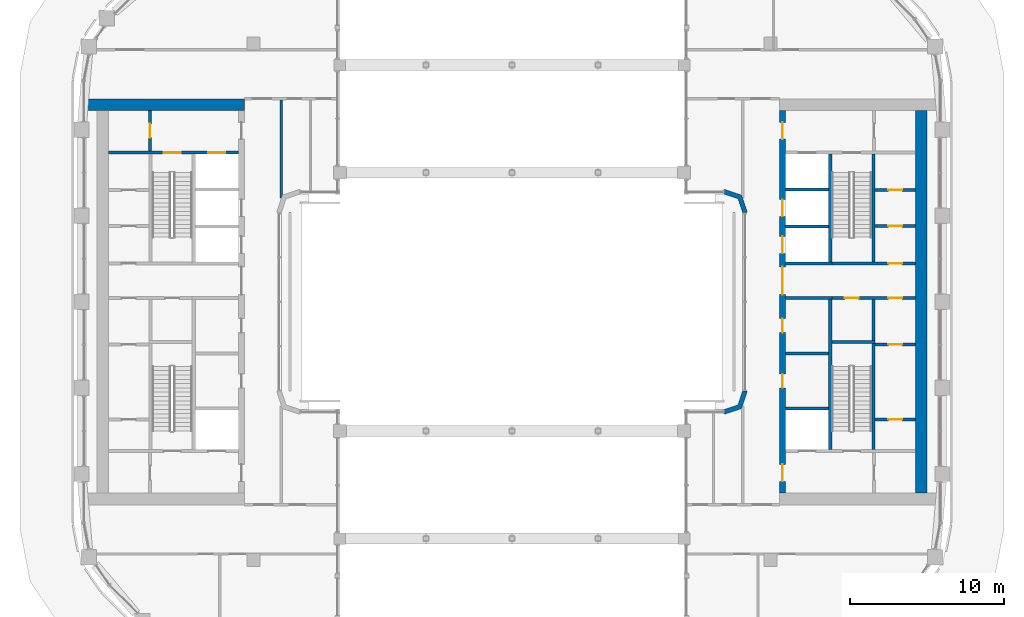
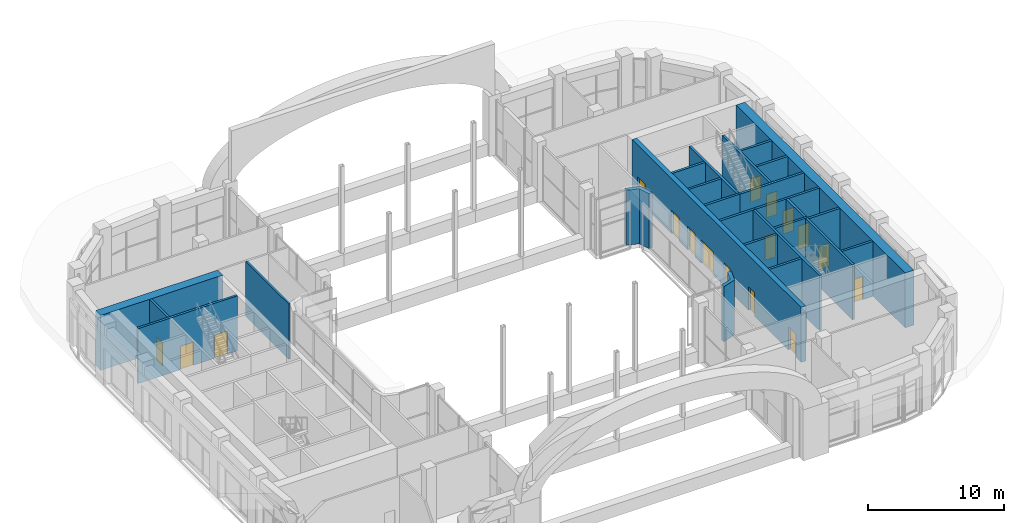
# One storey, part 17 of 28: 26 walls, 17 doors, 17 openings.
"""IFC4 building model written with IfcOpenShell, lengths in metres."""

from ifc_helpers import new_model, si_unit, direction, frame, frame_2d, origin, place, context, subcontext, project, spatial, polyline, rectangle, outline, extrude, material, layer, layer_set, type_object, element, fill, save


model = new_model("IFC4")

# Units and contexts
model_context = context("Model", 3, precision=1e-05, world=origin(), true_north=direction((0.0, 1.0)))
body_context = subcontext(model_context, "Body", "Model", "MODEL_VIEW")
ifc_project = project(units=[si_unit("LENGTHUNIT", "METRE"), si_unit("AREAUNIT", "SQUARE_METRE"), si_unit("VOLUMEUNIT", "CUBIC_METRE"), si_unit("PLANEANGLEUNIT", "RADIAN"), si_unit("MASSUNIT", "GRAM", prefix="KILO")], contexts=[model_context])

# Site, building, storey
site_placement = place(None, origin())
site = spatial("IfcSite", under=ifc_project, at=site_placement, CompositionType="ELEMENT")
building_placement = place(site_placement, origin())
building = spatial("IfcBuilding", under=site, at=building_placement, Name="Kiln Ring Residences", CompositionType="ELEMENT")
storey_placement = place(building_placement, frame((0.0, 0.0, 178.10009765625)))
storey = spatial("IfcBuildingStorey", under=building, at=storey_placement, Name="L46", CompositionType="ELEMENT", Elevation=178.10009765625)

# Wall, opening, door
ifc_material_1 = material(Name="Gypsum board on steel studs", Category="steel")
ifc_layer_1 = layer(ifc_material_1, 0.199951171875)
ifc_layer_set_1 = layer_set([ifc_layer_1], Name="CORE-PARTITION-200")
wall_type_1 = type_object("IfcWallType", Name="CORE-PARTITION-200", PredefinedType="PARTITIONING", material=ifc_layer_set_1)
wall_1_placement = place(storey_placement, frame((-23.550048828125, 9.800048828125, 0.0), z_axis=(0.0, 0.0, 1.0), x_axis=(0.0, 1.0, 0.0)))
wall_1 = element("IfcWall", 1, at=wall_1_placement, inside=storey, type_object=wall_type_1, Name="Core partition west L46 4", PredefinedType="PARTITIONING", context=body_context, shape_type="SweptSolid", body=[
    extrude(rectangle(XDim=2.64990234375, YDim=0.199951171875, at=frame_2d((1.324951171875, 0.0))), origin(), (0.0, 0.0, 1.0), 4.949951171875),
])
opening_1_placement = place(wall_1_placement, frame((0.875, 0.0, 0.0)))
opening_1 = element("IfcOpeningElement", 2, at=opening_1_placement, cuts=wall_1, Name="Opening L46-CW09", PredefinedType="OPENING", context=body_context, shape_type="SweptSolid", body=[
    extrude(rectangle(XDim=0.89990234375, YDim=2.10009765625, at=frame_2d((0.449951171875, 1.050048828125))), frame((0.0, 0.10986328125, 0.0), z_axis=(0.0, -1.0, 0.0), x_axis=(1.0, 0.0, 0.0)), (0.0, 0.0, 1.0), 0.219970703125),
])
ifc_material_2 = material(Name="Steel door leaf", Category="steel")
door_type_1 = type_object("IfcDoorType", Name="CORE-DOOR-ROOM", OperationType="SINGLE_SWING_LEFT", PredefinedType="DOOR", material=ifc_material_2)
door_1_placement = place(opening_1_placement, origin())
door_1 = element("IfcDoor", 3, at=door_1_placement, inside=storey, type_object=door_type_1, Name="Fire riser room L46-CW09", OperationType="SINGLE_SWING_LEFT", OverallHeight=2.10009765625, OverallWidth=0.89990234375, PredefinedType="DOOR", context=body_context, shape_type="SweptSolid", body=[
    extrude(rectangle(XDim=0.89990234375, YDim=2.10009765625, at=frame_2d((0.449951171875, 1.050048828125))), frame((0.0, 0.02490234375, 0.0), z_axis=(0.0, -1.0, 0.0), x_axis=(1.0, 0.0, 0.0)), (0.0, 0.0, 1.0), 0.050048828125),
])
fill(opening_1, door_1)

# Wall
wall_2_placement = place(storey_placement, frame((23.5, -2.5, 0.0), z_axis=(0.0, 0.0, 1.0), x_axis=(0.0, 1.0, 0.0)))
element("IfcWall", 4, at=wall_2_placement, inside=storey, type_object=wall_type_1, Name="Core partition east L46 1", PredefinedType="PARTITIONING", context=body_context, shape_type="SweptSolid", body=[
    extrude(rectangle(XDim=2.64990234375, YDim=0.199951171875, at=frame_2d((1.324951171875, 0.0))), origin(), (0.0, 0.0, 1.0), 4.949951171875),
])

# Wall, openings, doors
wall_3_placement = place(storey_placement, frame((20.800048828125, 0.25, 0.0), z_axis=(0.0, 0.0, 1.0), x_axis=(1.0, 0.0, 0.0)))
wall_3 = element("IfcWall", 5, at=wall_3_placement, inside=storey, type_object=wall_type_1, Name="Core partition east L46 2", PredefinedType="PARTITIONING", context=body_context, shape_type="SweptSolid", body=[
    extrude(rectangle(XDim=5.449951171875, YDim=0.199951171875, at=frame_2d((2.72509765625, 0.0))), origin(), (0.0, 0.0, 1.0), 4.949951171875),
])
opening_2_placement = place(wall_3_placement, frame((0.85009765625, 0.0, 0.0)))
opening_2 = element("IfcOpeningElement", 6, at=opening_2_placement, cuts=wall_3, Name="Opening L46-CE14", PredefinedType="OPENING", context=body_context, shape_type="SweptSolid", body=[
    extrude(rectangle(XDim=0.89990234375, YDim=2.10009765625, at=frame_2d((0.449951171875, 1.050048828125))), frame((0.0, 0.10986328125, 0.0), z_axis=(0.0, -1.0, 0.0), x_axis=(1.0, 0.0, 0.0)), (0.0, 0.0, 1.0), 0.219970703125),
])
opening_3_placement = place(wall_3_placement, frame((3.675048828125, 0.0, 0.0)))
opening_3 = element("IfcOpeningElement", 7, at=opening_3_placement, cuts=wall_3, Name="Opening L46-CE17", PredefinedType="OPENING", context=body_context, shape_type="SweptSolid", body=[
    extrude(rectangle(XDim=0.89990234375, YDim=2.10009765625, at=frame_2d((0.449951171875, 1.050048828125))), frame((0.0, 0.10986328125, 0.0), z_axis=(0.0, -1.0, 0.0), x_axis=(1.0, 0.0, 0.0)), (0.0, 0.0, 1.0), 0.219970703125),
])
door_2_placement = place(opening_2_placement, origin())
door_2 = element("IfcDoor", 8, at=door_2_placement, inside=storey, type_object=door_type_1, Name="Cleaner's store L46-CE14", OperationType="SINGLE_SWING_LEFT", OverallHeight=2.10009765625, OverallWidth=0.89990234375, PredefinedType="DOOR", context=body_context, shape_type="SweptSolid", body=[
    extrude(rectangle(XDim=0.89990234375, YDim=2.10009765625, at=frame_2d((0.449951171875, 1.050048828125))), frame((0.0, 0.02490234375, 0.0), z_axis=(0.0, -1.0, 0.0), x_axis=(1.0, 0.0, 0.0)), (0.0, 0.0, 1.0), 0.050048828125),
])
fill(opening_2, door_2)
door_3_placement = place(opening_3_placement, origin())
door_3 = element("IfcDoor", 9, at=door_3_placement, inside=storey, type_object=door_type_1, Name="Battery room L46-CE17", OperationType="SINGLE_SWING_RIGHT", OverallHeight=2.10009765625, OverallWidth=0.89990234375, PredefinedType="DOOR", context=body_context, shape_type="SweptSolid", body=[
    extrude(rectangle(XDim=0.89990234375, YDim=2.10009765625, at=frame_2d((0.449951171875, 1.050048828125))), frame((0.0, 0.02490234375, 0.0), z_axis=(0.0, -1.0, 0.0), x_axis=(1.0, 0.0, 0.0)), (0.0, 0.0, 1.0), 0.050048828125),
])
fill(opening_3, door_3)

# Wall
wall_4_placement = place(storey_placement, frame((17.800048828125, -3.35009765625, 0.0), z_axis=(0.0, 0.0, 1.0), x_axis=(1.0, 0.0, 0.0)))
element("IfcWall", 10, at=wall_4_placement, inside=storey, type_object=wall_type_1, Name="Core partition east L46 3", PredefinedType="PARTITIONING", context=body_context, shape_type="SweptSolid", body=[
    extrude(rectangle(XDim=2.800048828125, YDim=0.199951171875, at=frame_2d((1.39990234375, 0.0))), origin(), (0.0, 0.0, 1.0), 4.949951171875),
])

# Wall, opening, door
wall_5_placement = place(storey_placement, frame((23.60009765625, -7.64990234375, 0.0), z_axis=(0.0, 0.0, 1.0), x_axis=(1.0, 0.0, 0.0)))
wall_5 = element("IfcWall", 11, at=wall_5_placement, inside=storey, type_object=wall_type_1, Name="Core partition east L46 6", PredefinedType="PARTITIONING", context=body_context, shape_type="SweptSolid", body=[
    extrude(rectangle(XDim=2.64990234375, YDim=0.199951171875, at=frame_2d((1.324951171875, 0.0))), origin(), (0.0, 0.0, 1.0), 4.949951171875),
])
opening_4_placement = place(wall_5_placement, frame((0.875, 0.0, 0.0)))
opening_4 = element("IfcOpeningElement", 12, at=opening_4_placement, cuts=wall_5, Name="Opening L46-CE15", PredefinedType="OPENING", context=body_context, shape_type="SweptSolid", body=[
    extrude(rectangle(XDim=0.89990234375, YDim=2.10009765625, at=frame_2d((0.449951171875, 1.050048828125))), frame((0.0, 0.10986328125, 0.0), z_axis=(0.0, -1.0, 0.0), x_axis=(1.0, 0.0, 0.0)), (0.0, 0.0, 1.0), 0.219970703125),
])
door_4_placement = place(opening_4_placement, origin())
door_4 = element("IfcDoor", 13, at=door_4_placement, inside=storey, type_object=door_type_1, Name="Plant room L46-CE15", OperationType="SINGLE_SWING_LEFT", OverallHeight=2.10009765625, OverallWidth=0.89990234375, PredefinedType="DOOR", context=body_context, shape_type="SweptSolid", body=[
    extrude(rectangle(XDim=0.89990234375, YDim=2.10009765625, at=frame_2d((0.449951171875, 1.050048828125))), frame((0.0, 0.02490234375, 0.0), z_axis=(0.0, -1.0, 0.0), x_axis=(1.0, 0.0, 0.0)), (0.0, 0.0, 1.0), 0.050048828125),
])
fill(opening_4, door_4)

wall_6_placement = place(storey_placement, frame((23.60009765625, -2.77490234375, 0.0), z_axis=(0.0, 0.0, 1.0), x_axis=(1.0, 0.0, 0.0)))
wall_6 = element("IfcWall", 14, at=wall_6_placement, inside=storey, type_object=wall_type_1, Name="Core partition east L46 7", PredefinedType="PARTITIONING", context=body_context, shape_type="SweptSolid", body=[
    extrude(rectangle(XDim=2.64990234375, YDim=0.199951171875, at=frame_2d((1.324951171875, 0.0))), origin(), (0.0, 0.0, 1.0), 4.949951171875),
])
opening_5_placement = place(wall_6_placement, frame((0.875, 0.0, 0.0)))
opening_5 = element("IfcOpeningElement", 15, at=opening_5_placement, cuts=wall_6, Name="Opening L46-CE16", PredefinedType="OPENING", context=body_context, shape_type="SweptSolid", body=[
    extrude(rectangle(XDim=0.89990234375, YDim=2.10009765625, at=frame_2d((0.449951171875, 1.050048828125))), frame((0.0, 0.10986328125, 0.0), z_axis=(0.0, -1.0, 0.0), x_axis=(1.0, 0.0, 0.0)), (0.0, 0.0, 1.0), 0.219970703125),
])
door_5_placement = place(opening_5_placement, origin())
door_5 = element("IfcDoor", 16, at=door_5_placement, inside=storey, type_object=door_type_1, Name="Battery room L46-CE16", OperationType="SINGLE_SWING_RIGHT", OverallHeight=2.10009765625, OverallWidth=0.89990234375, PredefinedType="DOOR", context=body_context, shape_type="SweptSolid", body=[
    extrude(rectangle(XDim=0.89990234375, YDim=2.10009765625, at=frame_2d((0.449951171875, 1.050048828125))), frame((0.0, 0.02490234375, 0.0), z_axis=(0.0, -1.0, 0.0), x_axis=(1.0, 0.0, 0.0)), (0.0, 0.0, 1.0), 0.050048828125),
])
fill(opening_5, door_5)

wall_7_placement = place(storey_placement, frame((23.60009765625, 4.933349609375, 0.0), z_axis=(0.0, 0.0, 1.0), x_axis=(1.0, 0.0, 0.0)))
wall_7 = element("IfcWall", 17, at=wall_7_placement, inside=storey, type_object=wall_type_1, Name="Core partition east L46 8", PredefinedType="PARTITIONING", context=body_context, shape_type="SweptSolid", body=[
    extrude(rectangle(XDim=2.64990234375, YDim=0.199951171875, at=frame_2d((1.324951171875, 0.0))), origin(), (0.0, 0.0, 1.0), 4.949951171875),
])
opening_6_placement = place(wall_7_placement, frame((0.875, 0.0, 0.0)))
opening_6 = element("IfcOpeningElement", 18, at=opening_6_placement, cuts=wall_7, Name="Opening L46-CE18", PredefinedType="OPENING", context=body_context, shape_type="SweptSolid", body=[
    extrude(rectangle(XDim=0.89990234375, YDim=2.10009765625, at=frame_2d((0.449951171875, 1.050048828125))), frame((0.0, 0.10986328125, 0.0), z_axis=(0.0, -1.0, 0.0), x_axis=(1.0, 0.0, 0.0)), (0.0, 0.0, 1.0), 0.219970703125),
])
door_6_placement = place(opening_6_placement, origin())
door_6 = element("IfcDoor", 19, at=door_6_placement, inside=storey, type_object=door_type_1, Name="Electrical plant room L46-CE18", OperationType="SINGLE_SWING_RIGHT", OverallHeight=2.10009765625, OverallWidth=0.89990234375, PredefinedType="DOOR", context=body_context, shape_type="SweptSolid", body=[
    extrude(rectangle(XDim=0.89990234375, YDim=2.10009765625, at=frame_2d((0.449951171875, 1.050048828125))), frame((0.0, 0.02490234375, 0.0), z_axis=(0.0, -1.0, 0.0), x_axis=(1.0, 0.0, 0.0)), (0.0, 0.0, 1.0), 0.050048828125),
])
fill(opening_6, door_6)

wall_8_placement = place(storey_placement, frame((23.60009765625, 7.2666015625, 0.0), z_axis=(0.0, 0.0, 1.0), x_axis=(1.0, 0.0, 0.0)))
wall_8 = element("IfcWall", 20, at=wall_8_placement, inside=storey, type_object=wall_type_1, Name="Core partition east L46 9", PredefinedType="PARTITIONING", context=body_context, shape_type="SweptSolid", body=[
    extrude(rectangle(XDim=2.64990234375, YDim=0.199951171875, at=frame_2d((1.324951171875, 0.0))), origin(), (0.0, 0.0, 1.0), 4.949951171875),
])
opening_7_placement = place(wall_8_placement, frame((0.875, 0.0, 0.0)))
opening_7 = element("IfcOpeningElement", 21, at=opening_7_placement, cuts=wall_8, Name="Opening L46-CE19", PredefinedType="OPENING", context=body_context, shape_type="SweptSolid", body=[
    extrude(rectangle(XDim=0.89990234375, YDim=2.10009765625, at=frame_2d((0.449951171875, 1.050048828125))), frame((0.0, 0.10986328125, 0.0), z_axis=(0.0, -1.0, 0.0), x_axis=(1.0, 0.0, 0.0)), (0.0, 0.0, 1.0), 0.219970703125),
])
door_7_placement = place(opening_7_placement, origin())
door_7 = element("IfcDoor", 22, at=door_7_placement, inside=storey, type_object=door_type_1, Name="Comms room L46-CE19", OperationType="SINGLE_SWING_LEFT", OverallHeight=2.10009765625, OverallWidth=0.89990234375, PredefinedType="DOOR", context=body_context, shape_type="SweptSolid", body=[
    extrude(rectangle(XDim=0.89990234375, YDim=2.10009765625, at=frame_2d((0.449951171875, 1.050048828125))), frame((0.0, 0.02490234375, 0.0), z_axis=(0.0, -1.0, 0.0), x_axis=(1.0, 0.0, 0.0)), (0.0, 0.0, 1.0), 0.050048828125),
])
fill(opening_7, door_7)

# Walls
ifc_material_3 = material(Name="Gypsum shaft wall system")
ifc_layer_2 = layer(ifc_material_3, 0.199951171875)
ifc_layer_set_2 = layer_set([ifc_layer_2], Name="CORE-SHAFT-WALL-200")
wall_type_2 = type_object("IfcWallType", Name="CORE-SHAFT-WALL-200", PredefinedType="PARTITIONING", material=ifc_layer_set_2)
wall_9_placement = place(storey_placement, frame((17.800048828125, -6.949951171875, 0.0), z_axis=(0.0, 0.0, 1.0), x_axis=(1.0, 0.0, 0.0)))
element("IfcWall", 23, at=wall_9_placement, inside=storey, type_object=wall_type_2, Name="Core partition east L46 10", PredefinedType="PARTITIONING", context=body_context, shape_type="SweptSolid", body=[
    extrude(rectangle(XDim=2.800048828125, YDim=0.199951171875, at=frame_2d((1.39990234375, 0.0))), origin(), (0.0, 0.0, 1.0), 4.949951171875),
])
for number, where, z_axis, x_axis, name in (
    (24, (17.800048828125, 0.25, 0.0), (0.0, 0.0, 1.0), (1.0, 0.0, 0.0), "Core partition east L46 11"),
    (25, (17.800048828125, 2.5, 0.0), (0.0, 0.0, 1.0), (1.0, 0.0, 0.0), "Core partition east L46 12"),
):
    element("IfcWall", number, at=place(storey_placement, frame(where, z_axis=z_axis, x_axis=x_axis)), inside=storey, type_object=wall_type_2, Name=name, PredefinedType="PARTITIONING", context=body_context, shape_type="SweptSolid", body=[
        extrude(rectangle(XDim=3.0, YDim=0.199951171875, at=frame_2d((1.5, 0.0))), origin(), (0.0, 0.0, 1.0), 4.949951171875),
    ])
for number, where, z_axis, x_axis, name in (
    (26, (17.800048828125, 4.89990234375, 0.0), (0.0, 0.0, 1.0), (1.0, 0.0, 0.0), "Core partition east L46 13"),
    (27, (17.800048828125, 7.300048828125, 0.0), (0.0, 0.0, 1.0), (1.0, 0.0, 0.0), "Core partition east L46 14"),
):
    element("IfcWall", number, at=place(storey_placement, frame(where, z_axis=z_axis, x_axis=x_axis)), inside=storey, type_object=wall_type_2, Name=name, PredefinedType="PARTITIONING", context=body_context, shape_type="SweptSolid", body=[
        extrude(rectangle(XDim=2.800048828125, YDim=0.199951171875, at=frame_2d((1.39990234375, 0.0))), origin(), (0.0, 0.0, 1.0), 4.949951171875),
    ])

# Wall, openings, doors
ifc_material_4 = material(Name="Concrete C40/50", Category="concrete")
ifc_layer_3 = layer(ifc_material_4, 0.199951171875)
ifc_layer_set_3 = layer_set([ifc_layer_3], Name="CORE-WALL-RC200")
wall_type_3 = type_object("IfcWallType", Name="CORE-WALL-RC200", PredefinedType="SHEAR", material=ifc_layer_set_3)
wall_10_placement = place(storey_placement, frame((-17.800048828125, 9.699951171875, 0.0), z_axis=(0.0, 0.0, 1.0), x_axis=(-1.0, 0.0, 0.0)))
wall_10 = element("IfcWall", 28, at=wall_10_placement, inside=storey, type_object=wall_type_3, Name="Core wall west L46 9", PredefinedType="SHEAR", context=body_context, shape_type="SweptSolid", body=[
    extrude(rectangle(XDim=8.449951171875, YDim=0.199951171875, at=frame_2d((4.22509765625, 0.0))), origin(), (0.0, 0.0, 1.0), 4.949951171875),
])
opening_8_placement = place(wall_10_placement, frame((0.85009765625, 0.0, 0.0)))
opening_8 = element("IfcOpeningElement", 29, at=opening_8_placement, cuts=wall_10, Name="Opening L46-CW06", PredefinedType="OPENING", context=body_context, shape_type="SweptSolid", body=[
    extrude(rectangle(XDim=1.10009765625, YDim=2.10009765625, at=frame_2d((0.550048828125, 1.050048828125))), frame((0.0, 0.10986328125, 0.0), z_axis=(0.0, -1.0, 0.0), x_axis=(1.0, 0.0, 0.0)), (0.0, 0.0, 1.0), 0.219970703125),
])
opening_9_placement = place(wall_10_placement, frame((3.75, 0.0, 0.0)))
opening_9 = element("IfcOpeningElement", 30, at=opening_9_placement, cuts=wall_10, Name="Opening L46-CW11", PredefinedType="OPENING", context=body_context, shape_type="SweptSolid", body=[
    extrude(rectangle(XDim=1.10009765625, YDim=2.10009765625, at=frame_2d((0.550048828125, 1.050048828125))), frame((0.0, 0.10986328125, 0.0), z_axis=(0.0, -1.0, 0.0), x_axis=(1.0, 0.0, 0.0)), (0.0, 0.0, 1.0), 0.219970703125),
])
ifc_material_5 = material(Name="Steel door leaf", Category="steel")
door_type_2 = type_object("IfcDoorType", Name="CORE-DOOR-LD", OperationType="DOUBLE_DOOR_SLIDING", PredefinedType="DOOR", material=ifc_material_5)
door_8_placement = place(opening_8_placement, origin())
door_8 = element("IfcDoor", 31, at=door_8_placement, inside=storey, type_object=door_type_2, Name="LD W-FF L46-CW06", OperationType="DOUBLE_DOOR_SLIDING", OverallHeight=2.10009765625, OverallWidth=1.10009765625, PredefinedType="DOOR", context=body_context, shape_type="SweptSolid", body=[
    extrude(rectangle(XDim=1.10009765625, YDim=2.10009765625, at=frame_2d((0.550048828125, 1.050048828125))), frame((0.0, 0.02490234375, 0.0), z_axis=(0.0, -1.0, 0.0), x_axis=(1.0, 0.0, 0.0)), (0.0, 0.0, 1.0), 0.050048828125),
])
fill(opening_8, door_8)
ifc_material_6 = material(Name="Steel door leaf", Category="steel")
door_type_3 = type_object("IfcDoorType", Name="CORE-DOOR-STAIR", OperationType="SINGLE_SWING_LEFT", PredefinedType="DOOR", material=ifc_material_6)
door_9_placement = place(opening_9_placement, origin())
door_9 = element("IfcDoor", 32, at=door_9_placement, inside=storey, type_object=door_type_3, Name="Stair W-STN L46-CW11", OperationType="SINGLE_SWING_LEFT", OverallHeight=2.10009765625, OverallWidth=1.10009765625, PredefinedType="DOOR", context=body_context, shape_type="SweptSolid", body=[
    extrude(rectangle(XDim=1.10009765625, YDim=2.10009765625, at=frame_2d((0.550048828125, 1.050048828125))), frame((0.0, 0.02490234375, 0.0), z_axis=(0.0, -1.0, 0.0), x_axis=(1.0, 0.0, 0.0)), (0.0, 0.0, 1.0), 0.050048828125),
])
fill(opening_9, door_9)

# Walls
wall_11_placement = place(storey_placement, frame((20.699951171875, 2.60009765625, 0.0), z_axis=(0.0, 0.0, 1.0), x_axis=(0.0, 1.0, 0.0)))
element("IfcWall", 33, at=wall_11_placement, inside=storey, type_object=wall_type_3, Name="Core wall east L46 1", PredefinedType="SHEAR", context=body_context, shape_type="SweptSolid", body=[
    extrude(rectangle(XDim=7.0, YDim=0.199951171875, at=frame_2d((3.5, 0.0))), origin(), (0.0, 0.0, 1.0), 4.949951171875),
])
wall_12_placement = place(storey_placement, frame((20.699951171875, -9.60009765625, 0.0), z_axis=(0.0, 0.0, 1.0), x_axis=(0.0, 1.0, 0.0)))
element("IfcWall", 34, at=wall_12_placement, inside=storey, type_object=wall_type_3, Name="Core wall east L46 2", PredefinedType="SHEAR", context=body_context, shape_type="SweptSolid", body=[
    extrude(rectangle(XDim=9.75, YDim=0.199951171875, at=frame_2d((4.875, 0.0))), origin(), (0.0, 0.0, 1.0), 4.949951171875),
])

# Wall, opening, door
wall_13_placement = place(storey_placement, frame((20.800048828125, 2.5, 0.0), z_axis=(0.0, 0.0, 1.0), x_axis=(1.0, 0.0, 0.0)))
wall_13 = element("IfcWall", 35, at=wall_13_placement, inside=storey, type_object=wall_type_3, Name="Core wall east L46 3", PredefinedType="SHEAR", context=body_context, shape_type="SweptSolid", body=[
    extrude(rectangle(XDim=5.449951171875, YDim=0.199951171875, at=frame_2d((2.72509765625, 0.0))), origin(), (0.0, 0.0, 1.0), 4.949951171875),
])
opening_10_placement = place(wall_13_placement, frame((3.675048828125, 0.0, 0.0)))
opening_10 = element("IfcOpeningElement", 36, at=opening_10_placement, cuts=wall_13, Name="Opening L46-CE20", PredefinedType="OPENING", context=body_context, shape_type="SweptSolid", body=[
    extrude(rectangle(XDim=0.89990234375, YDim=2.10009765625, at=frame_2d((0.449951171875, 1.050048828125))), frame((0.0, 0.10986328125, 0.0), z_axis=(0.0, -1.0, 0.0), x_axis=(1.0, 0.0, 0.0)), (0.0, 0.0, 1.0), 0.219970703125),
])
door_10_placement = place(opening_10_placement, origin())
door_10 = element("IfcDoor", 37, at=door_10_placement, inside=storey, type_object=door_type_1, Name="UPS room L46-CE20", OperationType="SINGLE_SWING_RIGHT", OverallHeight=2.10009765625, OverallWidth=0.89990234375, PredefinedType="DOOR", context=body_context, shape_type="SweptSolid", body=[
    extrude(rectangle(XDim=0.89990234375, YDim=2.10009765625, at=frame_2d((0.449951171875, 1.050048828125))), frame((0.0, 0.02490234375, 0.0), z_axis=(0.0, -1.0, 0.0), x_axis=(1.0, 0.0, 0.0)), (0.0, 0.0, 1.0), 0.050048828125),
])
fill(opening_10, door_10)

# Walls
wall_14_placement = place(storey_placement, frame((23.5, 2.60009765625, 0.0), z_axis=(0.0, 0.0, 1.0), x_axis=(0.0, 1.0, 0.0)))
element("IfcWall", 38, at=wall_14_placement, inside=storey, type_object=wall_type_3, Name="Core wall east L46 10", PredefinedType="SHEAR", context=body_context, shape_type="SweptSolid", body=[
    extrude(rectangle(XDim=7.0, YDim=0.199951171875, at=frame_2d((3.5, 0.0))), origin(), (0.0, 0.0, 1.0), 4.949951171875),
])
wall_15_placement = place(storey_placement, frame((23.5, -9.60009765625, 0.0), z_axis=(0.0, 0.0, 1.0), x_axis=(0.0, 1.0, 0.0)))
element("IfcWall", 39, at=wall_15_placement, inside=storey, type_object=wall_type_3, Name="Core wall east L46 11", PredefinedType="SHEAR", context=body_context, shape_type="SweptSolid", body=[
    extrude(rectangle(XDim=6.900146484375, YDim=0.199951171875, at=frame_2d((3.4501953125, 0.0))), origin(), (0.0, 0.0, 1.0), 4.949951171875),
])
wall_16_placement = place(storey_placement, frame((20.800048828125, -2.60009765625, 0.0), z_axis=(0.0, 0.0, 1.0), x_axis=(1.0, 0.0, 0.0)))
element("IfcWall", 40, at=wall_16_placement, inside=storey, type_object=wall_type_3, Name="Core wall east L46 12", PredefinedType="SHEAR", context=body_context, shape_type="SweptSolid", body=[
    extrude(rectangle(XDim=2.800048828125, YDim=0.199951171875, at=frame_2d((1.39990234375, 0.0))), origin(), (0.0, 0.0, 1.0), 4.949951171875),
])

# Wall, openings, doors
ifc_material_7 = material(Name="Concrete C60/75", Category="concrete")
ifc_layer_4 = layer(ifc_material_7, 0.39990234375)
ifc_layer_set_4 = layer_set([ifc_layer_4], Name="CORE-WALL-RC400")
wall_type_4 = type_object("IfcWallType", Name="CORE-WALL-RC400", PredefinedType="SHEAR", material=ifc_layer_set_4)
wall_17_placement = place(storey_placement, frame((17.60009765625, -12.449951171875, 0.0), z_axis=(0.0, 0.0, 1.0), x_axis=(0.0, 1.0, 0.0)))
wall_17 = element("IfcWall", 41, at=wall_17_placement, inside=storey, type_object=wall_type_4, Name="Core wall east L46 6", PredefinedType="SHEAR", context=body_context, shape_type="SweptSolid", body=[
    extrude(rectangle(XDim=24.89990234375, YDim=0.39990234375, at=frame_2d((12.449951171875, 0.0))), origin(), (0.0, 0.0, 1.0), 4.949951171875),
])
opening_11_placement = place(wall_17_placement, frame((6.85009765625, 0.0, 0.0)))
opening_11 = element("IfcOpeningElement", 42, at=opening_11_placement, cuts=wall_17, Name="Opening L46-CE02", PredefinedType="OPENING", context=body_context, shape_type="SweptSolid", body=[
    extrude(rectangle(XDim=0.89990234375, YDim=2.10009765625, at=frame_2d((0.449951171875, 1.050048828125))), frame((0.0, 0.2099609375, 0.0), z_axis=(0.0, -1.0, 0.0), x_axis=(1.0, 0.0, 0.0)), (0.0, 0.0, 1.0), 0.419921875),
])
opening_12_placement = place(wall_17_placement, frame((10.449951171875, 0.0, 0.0)))
opening_12 = element("IfcOpeningElement", 43, at=opening_12_placement, cuts=wall_17, Name="Opening L46-CE03", PredefinedType="OPENING", context=body_context, shape_type="SweptSolid", body=[
    extrude(rectangle(XDim=0.89990234375, YDim=2.10009765625, at=frame_2d((0.449951171875, 1.050048828125))), frame((0.0, 0.2099609375, 0.0), z_axis=(0.0, -1.0, 0.0), x_axis=(1.0, 0.0, 0.0)), (0.0, 0.0, 1.0), 0.419921875),
])
opening_13_placement = place(wall_17_placement, frame((15.60009765625, 0.0, 0.0)))
opening_13 = element("IfcOpeningElement", 44, at=opening_13_placement, cuts=wall_17, Name="Opening L46-CE04", PredefinedType="OPENING", context=body_context, shape_type="SweptSolid", body=[
    extrude(rectangle(XDim=1.10009765625, YDim=2.10009765625, at=frame_2d((0.550048828125, 1.050048828125))), frame((0.0, 0.2099609375, 0.0), z_axis=(0.0, -1.0, 0.0), x_axis=(1.0, 0.0, 0.0)), (0.0, 0.0, 1.0), 0.419921875),
])
opening_14_placement = place(wall_17_placement, frame((18.0, 0.0, 0.0)))
opening_14 = element("IfcOpeningElement", 45, at=opening_14_placement, cuts=wall_17, Name="Opening L46-CE05", PredefinedType="OPENING", context=body_context, shape_type="SweptSolid", body=[
    extrude(rectangle(XDim=1.10009765625, YDim=2.10009765625, at=frame_2d((0.550048828125, 1.050048828125))), frame((0.0, 0.2099609375, 0.0), z_axis=(0.0, -1.0, 0.0), x_axis=(1.0, 0.0, 0.0)), (0.0, 0.0, 1.0), 0.419921875),
])
opening_15_placement = place(wall_17_placement, frame((23.02490234375, 0.0, 0.0)))
opening_15 = element("IfcOpeningElement", 46, at=opening_15_placement, cuts=wall_17, Name="Opening L46-CE07", PredefinedType="OPENING", context=body_context, shape_type="SweptSolid", body=[
    extrude(rectangle(XDim=1.10009765625, YDim=2.10009765625, at=frame_2d((0.550048828125, 1.050048828125))), frame((0.0, 0.2099609375, 0.0), z_axis=(0.0, -1.0, 0.0), x_axis=(1.0, 0.0, 0.0)), (0.0, 0.0, 1.0), 0.419921875),
])
opening_16_placement = place(wall_17_placement, frame((0.77490234375, 0.0, 0.0)))
opening_16 = element("IfcOpeningElement", 47, at=opening_16_placement, cuts=wall_17, Name="Opening L46-CE08", PredefinedType="OPENING", context=body_context, shape_type="SweptSolid", body=[
    extrude(rectangle(XDim=1.10009765625, YDim=2.10009765625, at=frame_2d((0.550048828125, 1.050048828125))), frame((0.0, 0.2099609375, 0.0), z_axis=(0.0, -1.0, 0.0), x_axis=(1.0, 0.0, 0.0)), (0.0, 0.0, 1.0), 0.419921875),
])
opening_17_placement = place(wall_17_placement, frame((12.925048828125, 0.0, 0.0)))
opening_17 = element("IfcOpeningElement", 48, at=opening_17_placement, cuts=wall_17, Name="Opening L46-CE13", PredefinedType="OPENING", context=body_context, shape_type="SweptSolid", body=[
    extrude(rectangle(XDim=1.800048828125, YDim=2.10009765625, at=frame_2d((0.89990234375, 1.050048828125))), frame((0.0, 0.2099609375, 0.0), z_axis=(0.0, -1.0, 0.0), x_axis=(1.0, 0.0, 0.0)), (0.0, 0.0, 1.0), 0.419921875),
])
door_11_placement = place(opening_13_placement, origin())
door_11 = element("IfcDoor", 49, at=door_11_placement, inside=storey, type_object=door_type_2, Name="LD E-M1 L46-CE04", OperationType="DOUBLE_DOOR_SLIDING", OverallHeight=2.10009765625, OverallWidth=1.10009765625, PredefinedType="DOOR", context=body_context, shape_type="SweptSolid", body=[
    extrude(rectangle(XDim=1.10009765625, YDim=2.10009765625, at=frame_2d((0.550048828125, 1.050048828125))), frame((0.0, 0.02490234375, 0.0), z_axis=(0.0, -1.0, 0.0), x_axis=(1.0, 0.0, 0.0)), (0.0, 0.0, 1.0), 0.050048828125),
])
fill(opening_13, door_11)
door_12_placement = place(opening_14_placement, origin())
door_12 = element("IfcDoor", 50, at=door_12_placement, inside=storey, type_object=door_type_2, Name="LD E-M2 L46-CE05", OperationType="DOUBLE_DOOR_SLIDING", OverallHeight=2.10009765625, OverallWidth=1.10009765625, PredefinedType="DOOR", context=body_context, shape_type="SweptSolid", body=[
    extrude(rectangle(XDim=1.10009765625, YDim=2.10009765625, at=frame_2d((0.550048828125, 1.050048828125))), frame((0.0, 0.02490234375, 0.0), z_axis=(0.0, -1.0, 0.0), x_axis=(1.0, 0.0, 0.0)), (0.0, 0.0, 1.0), 0.050048828125),
])
fill(opening_14, door_12)
ifc_material_8 = material(Name="Steel door leaf", Category="steel")
door_type_4 = type_object("IfcDoorType", Name="CORE-DOOR-LOBBY", OperationType="SINGLE_SWING_LEFT", PredefinedType="DOOR", material=ifc_material_8)
door_13_placement = place(opening_15_placement, origin())
door_13 = element("IfcDoor", 51, at=door_13_placement, inside=storey, type_object=door_type_4, Name="FFL L46-CE07", OperationType="SINGLE_SWING_LEFT", OverallHeight=2.10009765625, OverallWidth=1.10009765625, PredefinedType="DOOR", context=body_context, shape_type="SweptSolid", body=[
    extrude(rectangle(XDim=1.10009765625, YDim=2.10009765625, at=frame_2d((0.550048828125, 1.050048828125))), frame((0.0, 0.02490234375, 0.0), z_axis=(0.0, -1.0, 0.0), x_axis=(1.0, 0.0, 0.0)), (0.0, 0.0, 1.0), 0.050048828125),
])
fill(opening_15, door_13)
door_14_placement = place(opening_16_placement, origin())
door_14 = element("IfcDoor", 52, at=door_14_placement, inside=storey, type_object=door_type_4, Name="SVL L46-CE08", OperationType="SINGLE_SWING_RIGHT", OverallHeight=2.10009765625, OverallWidth=1.10009765625, PredefinedType="DOOR", context=body_context, shape_type="SweptSolid", body=[
    extrude(rectangle(XDim=1.10009765625, YDim=2.10009765625, at=frame_2d((0.550048828125, 1.050048828125))), frame((0.0, 0.02490234375, 0.0), z_axis=(0.0, -1.0, 0.0), x_axis=(1.0, 0.0, 0.0)), (0.0, 0.0, 1.0), 0.050048828125),
])
fill(opening_16, door_14)
ifc_material_9 = material(Name="Steel door leaf", Category="steel")
door_type_5 = type_object("IfcDoorType", Name="CORE-DOOR-PASS", OperationType="DOUBLE_DOOR_SINGLE_SWING", PredefinedType="DOOR", material=ifc_material_9)
door_15_placement = place(opening_17_placement, origin())
door_15 = element("IfcDoor", 53, at=door_15_placement, inside=storey, type_object=door_type_5, Name="Core passage L46-CE13", OperationType="DOUBLE_DOOR_SINGLE_SWING", OverallHeight=2.10009765625, OverallWidth=1.800048828125, PredefinedType="DOOR", context=body_context, shape_type="SweptSolid", body=[
    extrude(rectangle(XDim=1.800048828125, YDim=2.10009765625, at=frame_2d((0.89990234375, 1.050048828125))), frame((0.0, 0.02490234375, 0.0), z_axis=(0.0, -1.0, 0.0), x_axis=(1.0, 0.0, 0.0)), (0.0, 0.0, 1.0), 0.050048828125),
])
fill(opening_17, door_15)
door_16_placement = place(opening_11_placement, origin())
door_16 = element("IfcDoor", 54, at=door_16_placement, inside=storey, type_object=door_type_1, Name="Housekeeping store L46-CE02", OperationType="SINGLE_SWING_LEFT", OverallHeight=2.10009765625, OverallWidth=0.89990234375, PredefinedType="DOOR", context=body_context, shape_type="SweptSolid", body=[
    extrude(rectangle(XDim=0.89990234375, YDim=2.10009765625, at=frame_2d((0.449951171875, 1.050048828125))), frame((0.0, 0.02490234375, 0.0), z_axis=(0.0, -1.0, 0.0), x_axis=(1.0, 0.0, 0.0)), (0.0, 0.0, 1.0), 0.050048828125),
])
fill(opening_11, door_16)
door_17_placement = place(opening_12_placement, origin())
door_17 = element("IfcDoor", 55, at=door_17_placement, inside=storey, type_object=door_type_1, Name="Linen store L46-CE03", OperationType="SINGLE_SWING_RIGHT", OverallHeight=2.10009765625, OverallWidth=0.89990234375, PredefinedType="DOOR", context=body_context, shape_type="SweptSolid", body=[
    extrude(rectangle(XDim=0.89990234375, YDim=2.10009765625, at=frame_2d((0.449951171875, 1.050048828125))), frame((0.0, 0.02490234375, 0.0), z_axis=(0.0, -1.0, 0.0), x_axis=(1.0, 0.0, 0.0)), (0.0, 0.0, 1.0), 0.050048828125),
])
fill(opening_12, door_17)

# Walls
ifc_material_10 = material(Name="Concrete C60/75", Category="concrete")
ifc_layer_5 = layer(ifc_material_10, 0.75)
ifc_layer_set_5 = layer_set([ifc_layer_5], Name="CORE-WALL-RC750")
wall_type_5 = type_object("IfcWallType", Name="CORE-WALL-RC750", PredefinedType="SHEAR", material=ifc_layer_set_5)
wall_18_placement = place(storey_placement, frame((-17.39990234375, 12.824951171875, 0.0), z_axis=(0.0, 0.0, 1.0), x_axis=(-1.0, 0.0, 0.0)))
element("IfcWall", 56, at=wall_18_placement, inside=storey, type_object=wall_type_5, Name="Core wall west L46 4", PredefinedType="SHEAR", context=body_context, shape_type="SweptSolid", body=[
    extrude(rectangle(XDim=10.400146484375, YDim=0.75, at=frame_2d((5.2001953125, 0.0))), origin(), (0.0, 0.0, 1.0), 4.949951171875),
])
wall_19_placement = place(storey_placement, frame((26.625, -12.449951171875, 0.0), z_axis=(0.0, 0.0, 1.0), x_axis=(0.0, 1.0, 0.0)))
element("IfcWall", 57, at=wall_19_placement, inside=storey, type_object=wall_type_5, Name="Core wall east L46 7", PredefinedType="SHEAR", context=body_context, shape_type="SweptSolid", body=[
    extrude(rectangle(XDim=24.89990234375, YDim=0.75, at=frame_2d((12.449951171875, 0.0))), origin(), (0.0, 0.0, 1.0), 4.949951171875),
])
ifc_material_11 = material(Name="Brick masonry, dark clay brick", Category="masonry")
ifc_layer_6 = layer(ifc_material_11, 0.300048828125)
ifc_layer_set_6 = layer_set([ifc_layer_6], Name="EW-300 BRICK WALL")
wall_type_6 = type_object("IfcWallType", Name="EW-300 BRICK WALL", PredefinedType="SOLIDWALL", material=ifc_layer_set_6)
placement = place(storey_placement, origin())
element("IfcWall", 58, at=placement, inside=storey, type_object=wall_type_6, Name="Corner wall L46 3", PredefinedType="SOLIDWALL", context=body_context, shape_type="SweptSolid", body=[
    extrude(outline(polyline([(13.800048828125, 7.0), (14.699951171875, 6.699951171875), (15.0, 5.800048828125), (15.300048828125, 5.800048828125), (15.300048828125, 5.8486328125), (14.937255859375, 6.937255859375), (13.8486328125, 7.300048828125), (13.800048828125, 7.300048828125), (13.800048828125, 7.0)])), origin(), (0.0, 0.0, 1.0), 4.949951171875),
])
element("IfcWall", 59, at=placement, inside=storey, type_object=wall_type_6, Name="Corner wall L46 4", PredefinedType="SOLIDWALL", context=body_context, shape_type="SweptSolid", body=[
    extrude(outline(polyline([(15.0, -5.800048828125), (14.699951171875, -6.699951171875), (13.800048828125, -7.0), (13.800048828125, -7.300048828125), (13.8486328125, -7.300048828125), (14.937255859375, -6.937255859375), (15.300048828125, -5.8486328125), (15.300048828125, -5.800048828125), (15.0, -5.800048828125)])), origin(), (0.0, 0.0, 1.0), 4.949951171875),
])
ifc_material_12 = material(Name="Brick masonry partition", Category="masonry")
ifc_layer_7 = layer(ifc_material_12, 0.14990234375)
ifc_layer_set_7 = layer_set([ifc_layer_7], Name="PARTITION-150-ei60")
wall_type_7 = type_object("IfcWallType", Name="PARTITION-150-ei60", PredefinedType="PARTITIONING", material=ifc_layer_set_7)
wall_22_placement = place(storey_placement, frame((-15.0, 6.768798828125, 0.0), z_axis=(0.0, 0.0, 1.0), x_axis=(0.0, 1.0, 0.0)))
element("IfcWall", 60, at=wall_22_placement, inside=storey, type_object=wall_type_7, Name="Partition 010", PredefinedType="PARTITIONING", context=body_context, shape_type="SweptSolid", body=[
    extrude(rectangle(XDim=6.356201171875, YDim=0.14990234375, at=frame_2d((3.17822265625, 0.0))), origin(), (0.0, 0.0, 1.0), 4.949951171875),
])

save(model, "model.ifc")
